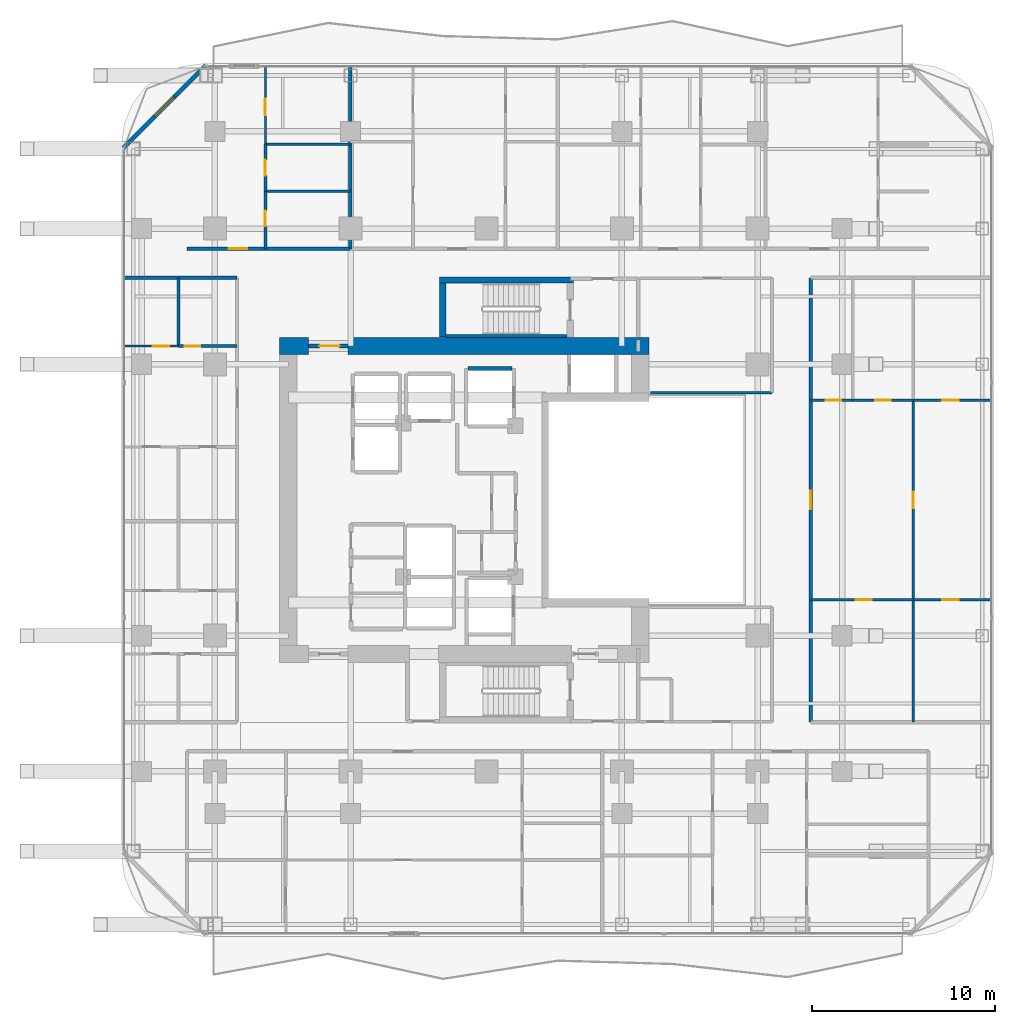
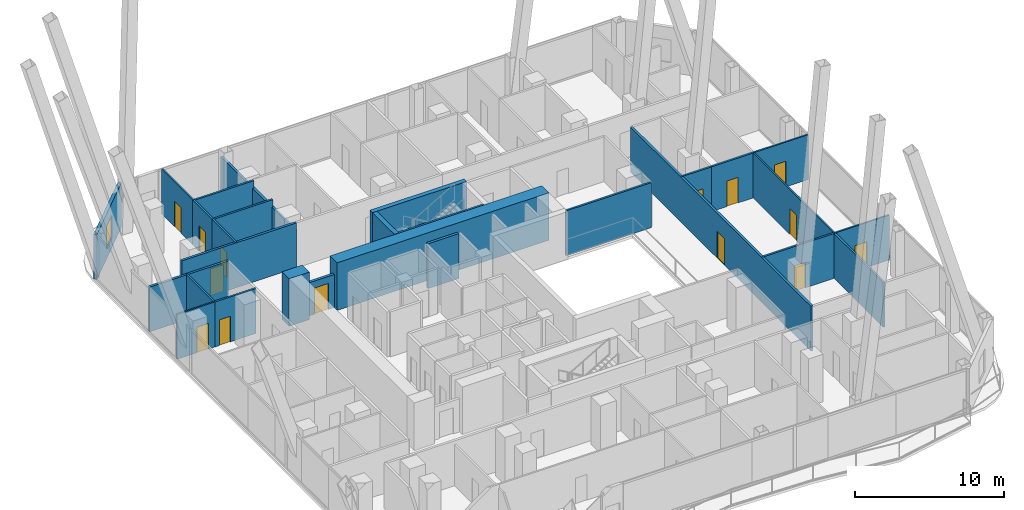
# One storey, part 27 of 32: 28 walls, 14 doors, 1 window, 15 openings.
"""IFC4 building model written with IfcOpenShell, lengths in metres."""

from ifc_helpers import new_model, si_unit, direction, frame, frame_2d, origin, place, context, subcontext, project, spatial, rectangle, extrude, material, layer, layer_set, type_object, element, fill, save


model = new_model("IFC4")

# Units and contexts
model_context = context("Model", 3, precision=1e-05, world=origin(), true_north=direction((0.0, 1.0)))
body_context = subcontext(model_context, "Body", "Model", "MODEL_VIEW")
ifc_project = project(units=[si_unit("LENGTHUNIT", "METRE"), si_unit("AREAUNIT", "SQUARE_METRE"), si_unit("VOLUMEUNIT", "CUBIC_METRE"), si_unit("PLANEANGLEUNIT", "RADIAN"), si_unit("MASSUNIT", "GRAM", prefix="KILO")], contexts=[model_context])

# Site, building, storey
site_placement = place(None, origin())
site = spatial("IfcSite", under=ifc_project, at=site_placement, CompositionType="ELEMENT")
building_placement = place(site_placement, origin())
building = spatial("IfcBuilding", under=site, at=building_placement, Name="Khorvyn Point Tower", CompositionType="ELEMENT")
storey_placement = place(building_placement, frame((0.0, 0.0, 148.5)))
storey = spatial("IfcBuildingStorey", under=building, at=storey_placement, Name="L37", CompositionType="ELEMENT", Elevation=148.5)

# Wall, opening, door
ifc_material_1 = material(Name="Double acoustic gypsum on twin steel stud", Category="steel")
ifc_layer_1 = layer(ifc_material_1, 0.179931640625)
ifc_layer_set_1 = layer_set([ifc_layer_1], Name="Acoustic Double-Stud Apartment Demising Wall 180")
wall_type_1 = type_object("IfcWallType", Name="Acoustic Double-Stud Apartment Demising Wall 180", PredefinedType="PARTITIONING", material=ifc_layer_set_1)
wall_1_placement = place(storey_placement, frame((-16.320068359375, 13.699951171875, 0.0), z_axis=(0.0, 0.0, 1.0), x_axis=(1.0, 0.0, 0.0)))
wall_1 = element("IfcWall", 1, at=wall_1_placement, inside=storey, type_object=wall_type_1, Name="Wall", PredefinedType="PARTITIONING", context=body_context, shape_type="SweptSolid", body=[
    extrude(rectangle(XDim=8.89697265625, YDim=0.179931640625, at=frame_2d((4.448486328125, 0.0))), origin(), (0.0, 0.0, 1.0), 3.679931640625),
])
opening_1_placement = place(wall_1_placement, frame((2.2744140625, 0.0, 0.0)))
opening_1 = element("IfcOpeningElement", 2, at=opening_1_placement, cuts=wall_1, Name="Opening ID-AP60", PredefinedType="OPENING", context=body_context, shape_type="SweptSolid", body=[
    extrude(rectangle(XDim=1.0, YDim=2.199951171875, at=frame_2d((0.5, 1.10009765625))), frame((0.0, 0.099853515625, 0.0), z_axis=(0.0, -1.0, 0.0), x_axis=(1.0, 0.0, 0.0)), (0.0, 0.0, 1.0), 0.199951171875),
])
ifc_material_2 = material(Name="Engineered hardwood fire-rated leaf", Category="wood")
door_type_1 = type_object("IfcDoorType", Name="Acoustic Solid-Core Timber Apartment Entrance Door 1000x2200", OperationType="NOTDEFINED", PredefinedType="DOOR", material=ifc_material_2)
door_1_placement = place(opening_1_placement, origin())
door_1 = element("IfcDoor", 3, at=door_1_placement, inside=storey, type_object=door_type_1, Name="Door", OperationType="SINGLE_SWING_LEFT", OverallHeight=2.199951171875, OverallWidth=1.0, PredefinedType="DOOR", context=body_context, shape_type="SweptSolid", body=[
    extrude(rectangle(XDim=1.0, YDim=2.199951171875, at=frame_2d((0.5, 1.10009765625))), frame((0.0, 0.02490234375, 0.0), z_axis=(0.0, -1.0, 0.0), x_axis=(1.0, 0.0, 0.0)), (0.0, 0.0, 1.0), 0.050048828125),
])
fill(opening_1, door_1)

wall_2_placement = place(storey_placement, frame((17.699951171875, -12.1201171875, 0.0), z_axis=(0.0, 0.0, 1.0), x_axis=(0.0, 1.0, 0.0)))
wall_2 = element("IfcWall", 4, at=wall_2_placement, inside=storey, type_object=wall_type_1, Name="Wall", PredefinedType="PARTITIONING", context=body_context, shape_type="SweptSolid", body=[
    extrude(rectangle(XDim=24.240234375, YDim=0.179931640625, at=frame_2d((12.1201171875, 0.0))), origin(), (0.0, 0.0, 1.0), 3.679931640625),
])
opening_2_placement = place(wall_2_placement, frame((11.6201171875, 0.0, 0.0)))
opening_2 = element("IfcOpeningElement", 5, at=opening_2_placement, cuts=wall_2, Name="Opening ID-AP60", PredefinedType="OPENING", context=body_context, shape_type="SweptSolid", body=[
    extrude(rectangle(XDim=1.0, YDim=2.199951171875, at=frame_2d((0.5, 1.10009765625))), frame((0.0, 0.099853515625, 0.0), z_axis=(0.0, -1.0, 0.0), x_axis=(1.0, 0.0, 0.0)), (0.0, 0.0, 1.0), 0.199951171875),
])
door_2_placement = place(opening_2_placement, origin())
door_2 = element("IfcDoor", 6, at=door_2_placement, inside=storey, type_object=door_type_1, Name="Door", OperationType="SINGLE_SWING_RIGHT", OverallHeight=2.199951171875, OverallWidth=1.0, PredefinedType="DOOR", context=body_context, shape_type="SweptSolid", body=[
    extrude(rectangle(XDim=1.0, YDim=2.199951171875, at=frame_2d((0.5, 1.10009765625))), frame((0.0, 0.02490234375, 0.0), z_axis=(0.0, -1.0, 0.0), x_axis=(1.0, 0.0, 0.0)), (0.0, 0.0, 1.0), 0.050048828125),
])
fill(opening_2, door_2)

# Walls
wall_3_placement = place(storey_placement, frame((-7.423095703125, 13.699951171875, 0.0), z_axis=(0.0, 0.0, 1.0), x_axis=(0.0, 1.0, 0.0)))
element("IfcWall", 7, at=wall_3_placement, inside=storey, type_object=wall_type_1, Name="Wall", PredefinedType="PARTITIONING", context=body_context, shape_type="SweptSolid", body=[
    extrude(rectangle(XDim=9.929931640625, YDim=0.179931640625, at=frame_2d((4.96484375, 0.0))), origin(), (0.0, 0.0, 1.0), 3.08203125),
])
wall_4_placement = place(storey_placement, frame((-19.72998046875, 12.1201171875, 0.0), z_axis=(0.0, 0.0, 1.0), x_axis=(1.0, 0.0, 0.0)))
element("IfcWall", 8, at=wall_4_placement, inside=storey, type_object=wall_type_1, Name="Wall", PredefinedType="PARTITIONING", context=body_context, shape_type="SweptSolid", body=[
    extrude(rectangle(XDim=6.1298828125, YDim=0.179931640625, at=frame_2d((3.06494140625, 0.0))), origin(), (0.0, 0.0, 1.0), 3.679931640625),
])

# Wall, opening, window
ifc_material_3 = material(Name="Pale anodised aluminium rainscreen on steel stud", Category="steel")
ifc_layer_2 = layer(ifc_material_3, 0.239990234375)
ifc_layer_set_2 = layer_set([ifc_layer_2], Name="Anodised Aluminium Insulated Corner Spandrel Wall 240")
wall_type_2 = type_object("IfcWallType", Name="Anodised Aluminium Insulated Corner Spandrel Wall 240", PredefinedType="SOLIDWALL", material=ifc_layer_set_2)
wall_5_placement = place(storey_placement, frame((-19.79248046875, 19.20751953125, 0.0), z_axis=(0.0, 0.0, 1.0), x_axis=(0.707106781187, 0.707106781187, 0.0)))
wall_5 = element("IfcWall", 9, at=wall_5_placement, inside=storey, type_object=wall_type_2, Name="L37 Rounded Corner Wall NW", PredefinedType="SOLIDWALL", context=body_context, shape_type="SweptSolid", body=[
    extrude(rectangle(XDim=6.342529296875, YDim=0.239990234375, at=frame_2d((3.17138671875, 0.0))), origin(), (0.0, 0.0, 1.0), 3.679931640625),
])
opening_3_placement = place(wall_5_placement, frame((2.42138671875, 0.0, 0.800048828125)))
opening_3 = element("IfcOpeningElement", 10, at=opening_3_placement, cuts=wall_5, Name="Opening WN-1518", PredefinedType="OPENING", context=body_context, shape_type="SweptSolid", body=[
    extrude(rectangle(XDim=1.5, YDim=1.85009765625, at=frame_2d((0.75, 0.925048828125))), frame((0.0, 0.1298828125, 0.0), z_axis=(0.0, -1.0, 0.0), x_axis=(1.0, 0.0, 0.0)), (0.0, 0.0, 1.0), 0.260009765625),
])
ifc_material_4 = material(Name="Anodised aluminium 6063-T6 and laminated Low-E glass", Category="aluminium")
window_type = type_object("IfcWindowType", Name="Anodised Aluminium Rounded-Corner Panoramic Window 1500x1850", PartitioningType="SINGLE_PANEL", PredefinedType="WINDOW", material=ifc_material_4)
window_placement = place(opening_3_placement, origin())
window = element("IfcWindow", 11, at=window_placement, inside=storey, type_object=window_type, Name="L37 Corner Panoramic Window NW", OverallHeight=1.85009765625, OverallWidth=1.5, PartitioningType="SINGLE_PANEL", PredefinedType="WINDOW", context=body_context, shape_type="SweptSolid", body=[
    extrude(rectangle(XDim=1.5, YDim=1.85009765625, at=frame_2d((0.75, 0.925048828125))), frame((0.0, 0.030029296875, 0.0), z_axis=(0.0, -1.0, 0.0), x_axis=(1.0, 0.0, 0.0)), (0.0, 0.0, 1.0), 0.06005859375),
])
fill(opening_3, window)

# Wall, opening, door
ifc_material_5 = material(Name="Concrete C40/50", Category="concrete")
ifc_layer_3 = layer(ifc_material_5, 0.199951171875)
ifc_layer_set_3 = layer_set([ifc_layer_3], Name="Concrete C40/50 Fire-Lobby Compartment Wall 200")
wall_type_3 = type_object("IfcWallType", Name="Concrete C40/50 Fire-Lobby Compartment Wall 200", PredefinedType="SOLIDWALL", material=ifc_layer_set_3)
wall_6_placement = place(storey_placement, frame((-9.699951171875, 8.39990234375, 0.0), z_axis=(0.0, 0.0, 1.0), x_axis=(1.0, 0.0, 0.0)))
wall_6 = element("IfcWall", 12, at=wall_6_placement, inside=storey, type_object=wall_type_3, Name="Wall", PredefinedType="SOLIDWALL", context=body_context, shape_type="SweptSolid", body=[
    extrude(rectangle(XDim=2.14990234375, YDim=0.199951171875, at=frame_2d((1.074951171875, 0.0))), origin(), (0.0, 0.0, 1.0), 2.719970703125),
])
opening_4_placement = place(wall_6_placement, frame((0.597900390625, 0.0, 0.0)))
opening_4 = element("IfcOpeningElement", 13, at=opening_4_placement, cuts=wall_6, Name="Opening ID-FL90", PredefinedType="OPENING", context=body_context, shape_type="SweptSolid", body=[
    extrude(rectangle(XDim=1.10009765625, YDim=2.14990234375, at=frame_2d((0.550048828125, 1.074951171875))), frame((0.0, 0.10986328125, 0.0), z_axis=(0.0, -1.0, 0.0), x_axis=(1.0, 0.0, 0.0)), (0.0, 0.0, 1.0), 0.219970703125),
])
ifc_material_6 = material(Name="Galvanised powder-coated steel", Category="steel")
door_type_2 = type_object("IfcDoorType", Name="Fire-Rated Steel Lobby and Stair Door 1100x2150", OperationType="NOTDEFINED", PredefinedType="DOOR", material=ifc_material_6)
door_3_placement = place(opening_4_placement, origin())
door_3 = element("IfcDoor", 14, at=door_3_placement, inside=storey, type_object=door_type_2, Name="Door", OperationType="SINGLE_SWING_LEFT", OverallHeight=2.14990234375, OverallWidth=1.10009765625, PredefinedType="DOOR", context=body_context, shape_type="SweptSolid", body=[
    extrude(rectangle(XDim=1.10009765625, YDim=2.14990234375, at=frame_2d((0.550048828125, 1.074951171875))), frame((0.0, 0.02490234375, 0.0), z_axis=(0.0, -1.0, 0.0), x_axis=(1.0, 0.0, 0.0)), (0.0, 0.0, 1.0), 0.050048828125),
])
fill(opening_4, door_3)

# Walls
ifc_layer_4 = layer(ifc_material_5, 0.25)
ifc_layer_set_4 = layer_set([ifc_layer_4], Name="Concrete C40/50 Stair Inner Cheek Structural Wall 250")
wall_type_4 = type_object("IfcWallType", Name="Concrete C40/50 Stair Inner Cheek Structural Wall 250", PredefinedType="SHEAR", material=ifc_layer_set_4)
wall_7_placement = place(storey_placement, frame((-2.199951171875, 8.949951171875, 0.0), z_axis=(0.0, 0.0, 1.0), x_axis=(1.0, 0.0, 0.0)))
element("IfcWall", 15, at=wall_7_placement, inside=storey, type_object=wall_type_4, Name="Wall", PredefinedType="SHEAR", context=body_context, shape_type="SweptSolid", body=[
    extrude(rectangle(XDim=6.599853515625, YDim=0.14990234375, at=frame_2d((3.2998046875, 0.0))), origin(), (0.0, 0.0, 1.0), 3.89990234375),
])
ifc_layer_5 = layer(ifc_material_5, 0.35009765625)
ifc_layer_set_5 = layer_set([ifc_layer_5], Name="Concrete C40/50 Stair Shaft Structural Wall 350")
wall_type_5 = type_object("IfcWallType", Name="Concrete C40/50 Stair Shaft Structural Wall 350", PredefinedType="SHEAR", material=ifc_layer_set_5)
wall_8_placement = place(storey_placement, frame((-2.554931640625, 12.0, 0.0), z_axis=(0.0, 0.0, 1.0), x_axis=(1.0, 0.0, 0.0)))
element("IfcWall", 16, at=wall_8_placement, inside=storey, type_object=wall_type_5, Name="L37 ST-02 North Shaft Wall", PredefinedType="SHEAR", context=body_context, shape_type="SweptSolid", body=[
    extrude(rectangle(XDim=7.309814453125, YDim=0.35009765625, at=frame_2d((3.65478515625, 0.0))), origin(), (0.0, 0.0, 1.0), 3.89990234375),
])
wall_9_placement = place(storey_placement, frame((-2.3798828125, 8.89990234375, 0.0), z_axis=(0.0, 0.0, 1.0), x_axis=(0.0, 1.0, 0.0)))
element("IfcWall", 17, at=wall_9_placement, inside=storey, type_object=wall_type_5, Name="L37 ST-02 West Shaft Wall", PredefinedType="SHEAR", context=body_context, shape_type="SweptSolid", body=[
    extrude(rectangle(XDim=2.925048828125, YDim=0.35009765625, at=frame_2d((1.46240234375, 0.0))), origin(), (0.0, 0.0, 1.0), 3.89990234375),
])
ifc_layer_6 = layer(ifc_material_5, 0.199951171875)
ifc_layer_set_6 = layer_set([ifc_layer_6], Name="Concrete C40/50 Structural Hoistway and Stair Shaft Wall 200")
wall_type_6 = type_object("IfcWallType", Name="Concrete C40/50 Structural Hoistway and Stair Shaft Wall 200", PredefinedType="SHEAR", material=ifc_layer_set_6)
wall_10_placement = place(storey_placement, frame((-1.0, 7.175048828125, 0.0), z_axis=(0.0, 0.0, 1.0), x_axis=(1.0, 0.0, 0.0)))
element("IfcWall", 18, at=wall_10_placement, inside=storey, type_object=wall_type_6, Name="Wall", PredefinedType="SHEAR", context=body_context, shape_type="SweptSolid", body=[
    extrude(rectangle(XDim=2.39990234375, YDim=0.199951171875, at=frame_2d((1.199951171875, 0.0))), origin(), (0.0, 0.0, 1.0), 3.679931640625),
])
ifc_material_7 = material(Name="Concrete C50/60", Category="concrete")
ifc_layer_7 = layer(ifc_material_7, 0.949951171875)
ifc_layer_set_7 = layer_set([ifc_layer_7], Name="Concrete C50/60 Core Shear Wall 950")
wall_type_7 = type_object("IfcWallType", Name="Concrete C50/60 Core Shear Wall 950", PredefinedType="SHEAR", material=ifc_layer_set_7)
wall_11_placement = place(storey_placement, frame((-11.27490234375, 8.39990234375, 0.0), z_axis=(0.0, 0.0, 1.0), x_axis=(1.0, 0.0, 0.0)))
element("IfcWall", 19, at=wall_11_placement, inside=storey, type_object=wall_type_7, Name="Wall", PredefinedType="SHEAR", context=body_context, shape_type="SweptSolid", body=[
    extrude(rectangle(XDim=1.574951171875, YDim=0.949951171875, at=frame_2d((0.78759765625, 0.0))), origin(), (0.0, 0.0, 1.0), 3.89990234375),
])
wall_12_placement = place(storey_placement, frame((-7.550048828125, 8.39990234375, 0.0), z_axis=(0.0, 0.0, 1.0), x_axis=(1.0, 0.0, 0.0)))
element("IfcWall", 20, at=wall_12_placement, inside=storey, type_object=wall_type_7, Name="Wall", PredefinedType="SHEAR", context=body_context, shape_type="SweptSolid", body=[
    extrude(rectangle(XDim=16.425048828125, YDim=0.949951171875, at=frame_2d((8.21240234375, 0.0))), origin(), (0.0, 0.0, 1.0), 3.89990234375),
])

# Wall, opening, door
ifc_material_8 = material(Name="Gypsum plasterboard on steel stud", Category="steel")
ifc_layer_8 = layer(ifc_material_8, 0.1201171875)
ifc_layer_set_8 = layer_set([ifc_layer_8], Name="Gypsum Acoustic Stud Room Partition Wall 120")
wall_type_8 = type_object("IfcWallType", Name="Gypsum Acoustic Stud Room Partition Wall 120", PredefinedType="PARTITIONING", material=ifc_layer_set_8)
wall_13_placement = place(storey_placement, frame((-12.049072265625, 19.406005859375, 0.0), z_axis=(0.0, 0.0, 1.0), x_axis=(0.0, 1.0, 0.0)))
wall_13 = element("IfcWall", 21, at=wall_13_placement, inside=storey, type_object=wall_type_8, Name="Wall", PredefinedType="PARTITIONING", context=body_context, shape_type="SweptSolid", body=[
    extrude(rectangle(XDim=4.223876953125, YDim=0.1201171875, at=frame_2d((2.11181640625, 0.0))), origin(), (0.0, 0.0, 1.0), 3.679931640625),
])
opening_5_placement = place(wall_13_placement, frame((1.573486328125, 0.0, 0.0)))
opening_5 = element("IfcOpeningElement", 22, at=opening_5_placement, cuts=wall_13, Name="Opening ID-RM90", PredefinedType="OPENING", context=body_context, shape_type="SweptSolid", body=[
    extrude(rectangle(XDim=0.89990234375, YDim=2.10009765625, at=frame_2d((0.449951171875, 1.050048828125))), frame((0.0, 0.070068359375, 0.0), z_axis=(0.0, -1.0, 0.0), x_axis=(1.0, 0.0, 0.0)), (0.0, 0.0, 1.0), 0.14013671875),
])
ifc_material_9 = material(Name="Engineered oak veneer timber", Category="wood")
door_type_3 = type_object("IfcDoorType", Name="Flush Engineered Timber Room Door 900x2100", OperationType="NOTDEFINED", PredefinedType="DOOR", material=ifc_material_9)
door_4_placement = place(opening_5_placement, origin())
door_4 = element("IfcDoor", 23, at=door_4_placement, inside=storey, type_object=door_type_3, Name="Door", OperationType="SINGLE_SWING_RIGHT", OverallHeight=2.10009765625, OverallWidth=0.89990234375, PredefinedType="DOOR", context=body_context, shape_type="SweptSolid", body=[
    extrude(rectangle(XDim=0.89990234375, YDim=2.10009765625, at=frame_2d((0.449951171875, 1.050048828125))), frame((0.0, 0.02490234375, 0.0), z_axis=(0.0, -1.0, 0.0), x_axis=(1.0, 0.0, 0.0)), (0.0, 0.0, 1.0), 0.050048828125),
])
fill(opening_5, door_4)

wall_14_placement = place(storey_placement, frame((-19.72998046875, 8.39404296875, 0.0), z_axis=(0.0, 0.0, 1.0), x_axis=(1.0, 0.0, 0.0)))
wall_14 = element("IfcWall", 24, at=wall_14_placement, inside=storey, type_object=wall_type_8, Name="Wall", PredefinedType="PARTITIONING", context=body_context, shape_type="SweptSolid", body=[
    extrude(rectangle(XDim=2.946044921875, YDim=0.1201171875, at=frame_2d((1.47314453125, 0.0))), origin(), (0.0, 0.0, 1.0), 3.679931640625),
])
opening_6_placement = place(wall_14_placement, frame((1.540771484375, 0.0, 0.0)))
opening_6 = element("IfcOpeningElement", 25, at=opening_6_placement, cuts=wall_14, Name="Opening ID-RM90", PredefinedType="OPENING", context=body_context, shape_type="SweptSolid", body=[
    extrude(rectangle(XDim=0.89990234375, YDim=2.10009765625, at=frame_2d((0.449951171875, 1.050048828125))), frame((0.0, 0.070068359375, 0.0), z_axis=(0.0, -1.0, 0.0), x_axis=(1.0, 0.0, 0.0)), (0.0, 0.0, 1.0), 0.14013671875),
])
door_5_placement = place(opening_6_placement, origin())
door_5 = element("IfcDoor", 26, at=door_5_placement, inside=storey, type_object=door_type_3, Name="Door", OperationType="SINGLE_SWING_LEFT", OverallHeight=2.10009765625, OverallWidth=0.89990234375, PredefinedType="DOOR", context=body_context, shape_type="SweptSolid", body=[
    extrude(rectangle(XDim=0.89990234375, YDim=2.10009765625, at=frame_2d((0.449951171875, 1.050048828125))), frame((0.0, 0.02490234375, 0.0), z_axis=(0.0, -1.0, 0.0), x_axis=(1.0, 0.0, 0.0)), (0.0, 0.0, 1.0), 0.050048828125),
])
fill(opening_6, door_5)

wall_15_placement = place(storey_placement, frame((23.2900390625, -5.43603515625, 0.0), z_axis=(0.0, 0.0, 1.0), x_axis=(0.0, 1.0, 0.0)))
wall_15 = element("IfcWall", 27, at=wall_15_placement, inside=storey, type_object=wall_type_8, Name="Wall", PredefinedType="PARTITIONING", context=body_context, shape_type="SweptSolid", body=[
    extrude(rectangle(XDim=10.8720703125, YDim=0.1201171875, at=frame_2d((5.43603515625, 0.0))), origin(), (0.0, 0.0, 1.0), 3.679931640625),
])
opening_7_placement = place(wall_15_placement, frame((4.986083984375, 0.0, 0.0)))
opening_7 = element("IfcOpeningElement", 28, at=opening_7_placement, cuts=wall_15, Name="Opening ID-RM90", PredefinedType="OPENING", context=body_context, shape_type="SweptSolid", body=[
    extrude(rectangle(XDim=0.89990234375, YDim=2.10009765625, at=frame_2d((0.449951171875, 1.050048828125))), frame((0.0, 0.070068359375, 0.0), z_axis=(0.0, -1.0, 0.0), x_axis=(1.0, 0.0, 0.0)), (0.0, 0.0, 1.0), 0.14013671875),
])
door_6_placement = place(opening_7_placement, origin())
door_6 = element("IfcDoor", 29, at=door_6_placement, inside=storey, type_object=door_type_3, Name="Door", OperationType="SINGLE_SWING_LEFT", OverallHeight=2.10009765625, OverallWidth=0.89990234375, PredefinedType="DOOR", context=body_context, shape_type="SweptSolid", body=[
    extrude(rectangle(XDim=0.89990234375, YDim=2.10009765625, at=frame_2d((0.449951171875, 1.050048828125))), frame((0.0, 0.02490234375, 0.0), z_axis=(0.0, -1.0, 0.0), x_axis=(1.0, 0.0, 0.0)), (0.0, 0.0, 1.0), 0.050048828125),
])
fill(opening_7, door_6)

wall_16_placement = place(storey_placement, frame((23.2900390625, -5.43603515625, 0.0), z_axis=(0.0, 0.0, 1.0), x_axis=(1.0, 0.0, 0.0)))
wall_16 = element("IfcWall", 30, at=wall_16_placement, inside=storey, type_object=wall_type_8, Name="Wall", PredefinedType="PARTITIONING", context=body_context, shape_type="SweptSolid", body=[
    extrude(rectangle(XDim=4.239990234375, YDim=0.1201171875, at=frame_2d((2.1201171875, 0.0))), origin(), (0.0, 0.0, 1.0), 3.679931640625),
])
opening_8_placement = place(wall_16_placement, frame((1.581298828125, 0.0, 0.0)))
opening_8 = element("IfcOpeningElement", 31, at=opening_8_placement, cuts=wall_16, Name="Opening ID-RM90", PredefinedType="OPENING", context=body_context, shape_type="SweptSolid", body=[
    extrude(rectangle(XDim=0.89990234375, YDim=2.10009765625, at=frame_2d((0.449951171875, 1.050048828125))), frame((0.0, 0.070068359375, 0.0), z_axis=(0.0, -1.0, 0.0), x_axis=(1.0, 0.0, 0.0)), (0.0, 0.0, 1.0), 0.14013671875),
])
door_7_placement = place(opening_8_placement, origin())
door_7 = element("IfcDoor", 32, at=door_7_placement, inside=storey, type_object=door_type_3, Name="Door", OperationType="SINGLE_SWING_LEFT", OverallHeight=2.10009765625, OverallWidth=0.89990234375, PredefinedType="DOOR", context=body_context, shape_type="SweptSolid", body=[
    extrude(rectangle(XDim=0.89990234375, YDim=2.10009765625, at=frame_2d((0.449951171875, 1.050048828125))), frame((0.0, 0.02490234375, 0.0), z_axis=(0.0, -1.0, 0.0), x_axis=(1.0, 0.0, 0.0)), (0.0, 0.0, 1.0), 0.050048828125),
])
fill(opening_8, door_7)

wall_17_placement = place(storey_placement, frame((23.2900390625, 5.43603515625, 0.0), z_axis=(0.0, 0.0, 1.0), x_axis=(1.0, 0.0, 0.0)))
wall_17 = element("IfcWall", 33, at=wall_17_placement, inside=storey, type_object=wall_type_8, Name="Wall", PredefinedType="PARTITIONING", context=body_context, shape_type="SweptSolid", body=[
    extrude(rectangle(XDim=4.239990234375, YDim=0.1201171875, at=frame_2d((2.1201171875, 0.0))), origin(), (0.0, 0.0, 1.0), 3.679931640625),
])
opening_9_placement = place(wall_17_placement, frame((1.581298828125, 0.0, 0.0)))
opening_9 = element("IfcOpeningElement", 34, at=opening_9_placement, cuts=wall_17, Name="Opening ID-RM90", PredefinedType="OPENING", context=body_context, shape_type="SweptSolid", body=[
    extrude(rectangle(XDim=0.89990234375, YDim=2.10009765625, at=frame_2d((0.449951171875, 1.050048828125))), frame((0.0, 0.070068359375, 0.0), z_axis=(0.0, -1.0, 0.0), x_axis=(1.0, 0.0, 0.0)), (0.0, 0.0, 1.0), 0.14013671875),
])
door_8_placement = place(opening_9_placement, origin())
door_8 = element("IfcDoor", 35, at=door_8_placement, inside=storey, type_object=door_type_3, Name="Door", OperationType="SINGLE_SWING_RIGHT", OverallHeight=2.10009765625, OverallWidth=0.89990234375, PredefinedType="DOOR", context=body_context, shape_type="SweptSolid", body=[
    extrude(rectangle(XDim=0.89990234375, YDim=2.10009765625, at=frame_2d((0.449951171875, 1.050048828125))), frame((0.0, 0.02490234375, 0.0), z_axis=(0.0, -1.0, 0.0), x_axis=(1.0, 0.0, 0.0)), (0.0, 0.0, 1.0), 0.050048828125),
])
fill(opening_9, door_8)

ifc_material_10 = material(Name="Moisture-resistant gypsum and cement board", Category="gypsum")
ifc_layer_9 = layer(ifc_material_10, 0.14990234375)
ifc_layer_set_9 = layer_set([ifc_layer_9], Name="Moisture-Resistant Wet-Room Partition Wall 150")
wall_type_9 = type_object("IfcWallType", Name="Moisture-Resistant Wet-Room Partition Wall 150", PredefinedType="PARTITIONING", material=ifc_layer_set_9)
wall_18_placement = place(storey_placement, frame((-12.049072265625, 13.699951171875, 0.0), z_axis=(0.0, 0.0, 1.0), x_axis=(0.0, 1.0, 0.0)))
wall_18 = element("IfcWall", 36, at=wall_18_placement, inside=storey, type_object=wall_type_9, Name="Wall", PredefinedType="PARTITIONING", context=body_context, shape_type="SweptSolid", body=[
    extrude(rectangle(XDim=3.137939453125, YDim=0.14990234375, at=frame_2d((1.56884765625, 0.0))), origin(), (0.0, 0.0, 1.0), 3.679931640625),
])
opening_10_placement = place(wall_18_placement, frame((1.2333984375, 0.0, 0.0)))
opening_10 = element("IfcOpeningElement", 37, at=opening_10_placement, cuts=wall_18, Name="Opening ID-WC85", PredefinedType="OPENING", context=body_context, shape_type="SweptSolid", body=[
    extrude(rectangle(XDim=0.85009765625, YDim=2.10009765625, at=frame_2d((0.425048828125, 1.050048828125))), frame((0.0, 0.0849609375, 0.0), z_axis=(0.0, -1.0, 0.0), x_axis=(1.0, 0.0, 0.0)), (0.0, 0.0, 1.0), 0.169921875),
])
ifc_material_11 = material(Name="High-pressure laminate on moisture-resistant core", Category="wood")
door_type_4 = type_object("IfcDoorType", Name="Moisture-Resistant Accessible Washroom Door 850x2100", OperationType="NOTDEFINED", PredefinedType="DOOR", material=ifc_material_11)
door_9_placement = place(opening_10_placement, origin())
door_9 = element("IfcDoor", 38, at=door_9_placement, inside=storey, type_object=door_type_4, Name="Door", OperationType="SINGLE_SWING_RIGHT", OverallHeight=2.10009765625, OverallWidth=0.85009765625, PredefinedType="DOOR", context=body_context, shape_type="SweptSolid", body=[
    extrude(rectangle(XDim=0.85009765625, YDim=2.10009765625, at=frame_2d((0.425048828125, 1.050048828125))), frame((0.0, 0.02490234375, 0.0), z_axis=(0.0, -1.0, 0.0), x_axis=(1.0, 0.0, 0.0)), (0.0, 0.0, 1.0), 0.050048828125),
])
fill(opening_10, door_9)

wall_19_placement = place(storey_placement, frame((-12.049072265625, 16.837890625, 0.0), z_axis=(0.0, 0.0, 1.0), x_axis=(0.0, 1.0, 0.0)))
wall_19 = element("IfcWall", 39, at=wall_19_placement, inside=storey, type_object=wall_type_9, Name="Wall", PredefinedType="PARTITIONING", context=body_context, shape_type="SweptSolid", body=[
    extrude(rectangle(XDim=2.568115234375, YDim=0.14990234375, at=frame_2d((1.2841796875, 0.0))), origin(), (0.0, 0.0, 1.0), 3.679931640625),
])
opening_11_placement = place(wall_19_placement, frame((0.85888671875, 0.0, 0.0)))
opening_11 = element("IfcOpeningElement", 40, at=opening_11_placement, cuts=wall_19, Name="Opening ID-WC85", PredefinedType="OPENING", context=body_context, shape_type="SweptSolid", body=[
    extrude(rectangle(XDim=0.85009765625, YDim=2.10009765625, at=frame_2d((0.425048828125, 1.050048828125))), frame((0.0, 0.0849609375, 0.0), z_axis=(0.0, -1.0, 0.0), x_axis=(1.0, 0.0, 0.0)), (0.0, 0.0, 1.0), 0.169921875),
])
door_10_placement = place(opening_11_placement, origin())
door_10 = element("IfcDoor", 41, at=door_10_placement, inside=storey, type_object=door_type_4, Name="Door", OperationType="SINGLE_SWING_LEFT", OverallHeight=2.10009765625, OverallWidth=0.85009765625, PredefinedType="DOOR", context=body_context, shape_type="SweptSolid", body=[
    extrude(rectangle(XDim=0.85009765625, YDim=2.10009765625, at=frame_2d((0.425048828125, 1.050048828125))), frame((0.0, 0.02490234375, 0.0), z_axis=(0.0, -1.0, 0.0), x_axis=(1.0, 0.0, 0.0)), (0.0, 0.0, 1.0), 0.050048828125),
])
fill(opening_11, door_10)

wall_20_placement = place(storey_placement, frame((-16.783935546875, 8.39404296875, 0.0), z_axis=(0.0, 0.0, 1.0), x_axis=(1.0, 0.0, 0.0)))
wall_20 = element("IfcWall", 42, at=wall_20_placement, inside=storey, type_object=wall_type_9, Name="Wall", PredefinedType="PARTITIONING", context=body_context, shape_type="SweptSolid", body=[
    extrude(rectangle(XDim=3.183837890625, YDim=0.14990234375, at=frame_2d((1.591796875, 0.0))), origin(), (0.0, 0.0, 1.0), 3.679931640625),
])
opening_12_placement = place(wall_20_placement, frame((0.327880859375, 0.0, 0.0)))
opening_12 = element("IfcOpeningElement", 43, at=opening_12_placement, cuts=wall_20, Name="Opening ID-WC85", PredefinedType="OPENING", context=body_context, shape_type="SweptSolid", body=[
    extrude(rectangle(XDim=0.85009765625, YDim=2.10009765625, at=frame_2d((0.425048828125, 1.050048828125))), frame((0.0, 0.0849609375, 0.0), z_axis=(0.0, -1.0, 0.0), x_axis=(1.0, 0.0, 0.0)), (0.0, 0.0, 1.0), 0.169921875),
])
door_11_placement = place(opening_12_placement, origin())
door_11 = element("IfcDoor", 44, at=door_11_placement, inside=storey, type_object=door_type_4, Name="Door", OperationType="SINGLE_SWING_RIGHT", OverallHeight=2.10009765625, OverallWidth=0.85009765625, PredefinedType="DOOR", context=body_context, shape_type="SweptSolid", body=[
    extrude(rectangle(XDim=0.85009765625, YDim=2.10009765625, at=frame_2d((0.425048828125, 1.050048828125))), frame((0.0, 0.02490234375, 0.0), z_axis=(0.0, -1.0, 0.0), x_axis=(1.0, 0.0, 0.0)), (0.0, 0.0, 1.0), 0.050048828125),
])
fill(opening_12, door_11)

wall_21_placement = place(storey_placement, frame((17.699951171875, 5.43603515625, 0.0), z_axis=(0.0, 0.0, 1.0), x_axis=(1.0, 0.0, 0.0)))
wall_21 = element("IfcWall", 45, at=wall_21_placement, inside=storey, type_object=wall_type_9, Name="Wall", PredefinedType="PARTITIONING", context=body_context, shape_type="SweptSolid", body=[
    extrude(rectangle(XDim=2.2919921875, YDim=0.14990234375, at=frame_2d((1.14599609375, 0.0))), origin(), (0.0, 0.0, 1.0), 3.679931640625),
])
opening_13_placement = place(wall_21_placement, frame((0.801025390625, 0.0, 0.0)))
opening_13 = element("IfcOpeningElement", 46, at=opening_13_placement, cuts=wall_21, Name="Opening ID-WC85", PredefinedType="OPENING", context=body_context, shape_type="SweptSolid", body=[
    extrude(rectangle(XDim=0.85009765625, YDim=2.10009765625, at=frame_2d((0.425048828125, 1.050048828125))), frame((0.0, 0.0849609375, 0.0), z_axis=(0.0, -1.0, 0.0), x_axis=(1.0, 0.0, 0.0)), (0.0, 0.0, 1.0), 0.169921875),
])
door_12_placement = place(opening_13_placement, origin())
door_12 = element("IfcDoor", 47, at=door_12_placement, inside=storey, type_object=door_type_4, Name="Door", OperationType="SINGLE_SWING_RIGHT", OverallHeight=2.10009765625, OverallWidth=0.85009765625, PredefinedType="DOOR", context=body_context, shape_type="SweptSolid", body=[
    extrude(rectangle(XDim=0.85009765625, YDim=2.10009765625, at=frame_2d((0.425048828125, 1.050048828125))), frame((0.0, 0.02490234375, 0.0), z_axis=(0.0, -1.0, 0.0), x_axis=(1.0, 0.0, 0.0)), (0.0, 0.0, 1.0), 0.050048828125),
])
fill(opening_13, door_12)

wall_22_placement = place(storey_placement, frame((19.991943359375, 5.43603515625, 0.0), z_axis=(0.0, 0.0, 1.0), x_axis=(1.0, 0.0, 0.0)))
wall_22 = element("IfcWall", 48, at=wall_22_placement, inside=storey, type_object=wall_type_9, Name="Wall", PredefinedType="PARTITIONING", context=body_context, shape_type="SweptSolid", body=[
    extrude(rectangle(XDim=3.298095703125, YDim=0.14990234375, at=frame_2d((1.64892578125, 0.0))), origin(), (0.0, 0.0, 1.0), 3.679931640625),
])
opening_14_placement = place(wall_22_placement, frame((1.22412109375, 0.0, 0.0)))
opening_14 = element("IfcOpeningElement", 49, at=opening_14_placement, cuts=wall_22, Name="Opening ID-WC85", PredefinedType="OPENING", context=body_context, shape_type="SweptSolid", body=[
    extrude(rectangle(XDim=0.85009765625, YDim=2.10009765625, at=frame_2d((0.425048828125, 1.050048828125))), frame((0.0, 0.0849609375, 0.0), z_axis=(0.0, -1.0, 0.0), x_axis=(1.0, 0.0, 0.0)), (0.0, 0.0, 1.0), 0.169921875),
])
door_13_placement = place(opening_14_placement, origin())
door_13 = element("IfcDoor", 50, at=door_13_placement, inside=storey, type_object=door_type_4, Name="Door", OperationType="SINGLE_SWING_LEFT", OverallHeight=2.10009765625, OverallWidth=0.85009765625, PredefinedType="DOOR", context=body_context, shape_type="SweptSolid", body=[
    extrude(rectangle(XDim=0.85009765625, YDim=2.10009765625, at=frame_2d((0.425048828125, 1.050048828125))), frame((0.0, 0.02490234375, 0.0), z_axis=(0.0, -1.0, 0.0), x_axis=(1.0, 0.0, 0.0)), (0.0, 0.0, 1.0), 0.050048828125),
])
fill(opening_14, door_13)

wall_23_placement = place(storey_placement, frame((17.699951171875, -5.43603515625, 0.0), z_axis=(0.0, 0.0, 1.0), x_axis=(1.0, 0.0, 0.0)))
wall_23 = element("IfcWall", 51, at=wall_23_placement, inside=storey, type_object=wall_type_9, Name="Wall", PredefinedType="PARTITIONING", context=body_context, shape_type="SweptSolid", body=[
    extrude(rectangle(XDim=5.590087890625, YDim=0.14990234375, at=frame_2d((2.794921875, 0.0))), origin(), (0.0, 0.0, 1.0), 3.679931640625),
])
opening_15_placement = place(wall_23_placement, frame((2.45849609375, 0.0, 0.0)))
opening_15 = element("IfcOpeningElement", 52, at=opening_15_placement, cuts=wall_23, Name="Opening ID-WC85", PredefinedType="OPENING", context=body_context, shape_type="SweptSolid", body=[
    extrude(rectangle(XDim=0.85009765625, YDim=2.10009765625, at=frame_2d((0.425048828125, 1.050048828125))), frame((0.0, 0.0849609375, 0.0), z_axis=(0.0, -1.0, 0.0), x_axis=(1.0, 0.0, 0.0)), (0.0, 0.0, 1.0), 0.169921875),
])
door_14_placement = place(opening_15_placement, origin())
door_14 = element("IfcDoor", 53, at=door_14_placement, inside=storey, type_object=door_type_4, Name="Door", OperationType="SINGLE_SWING_RIGHT", OverallHeight=2.10009765625, OverallWidth=0.85009765625, PredefinedType="DOOR", context=body_context, shape_type="SweptSolid", body=[
    extrude(rectangle(XDim=0.85009765625, YDim=2.10009765625, at=frame_2d((0.425048828125, 1.050048828125))), frame((0.0, 0.02490234375, 0.0), z_axis=(0.0, -1.0, 0.0), x_axis=(1.0, 0.0, 0.0)), (0.0, 0.0, 1.0), 0.050048828125),
])
fill(opening_15, door_14)

# Walls
wall_24_placement = place(storey_placement, frame((8.9599609375, 5.85009765625, 0.0), z_axis=(0.0, 0.0, 1.0), x_axis=(1.0, 0.0, 0.0)))
element("IfcWall", 54, at=wall_24_placement, inside=storey, type_object=wall_type_9, Name="Wall", PredefinedType="PARTITIONING", context=body_context, shape_type="SweptSolid", body=[
    extrude(rectangle(XDim=6.6201171875, YDim=0.14990234375, at=frame_2d((3.31005859375, 0.0))), origin(), (0.0, 0.0, 1.0), 3.679931640625),
])
for number, where, z_axis, x_axis, name in (
    (55, (-12.049072265625, 16.837890625, 0.0), (0.0, 0.0, 1.0), (1.0, 0.0, 0.0), "Wall"),
    (56, (-12.049072265625, 19.406005859375, 0.0), (0.0, 0.0, 1.0), (1.0, 0.0, 0.0), "Wall"),
):
    element("IfcWall", number, at=place(storey_placement, frame(where, z_axis=z_axis, x_axis=x_axis)), inside=storey, type_object=wall_type_9, Name=name, PredefinedType="PARTITIONING", context=body_context, shape_type="SweptSolid", body=[
        extrude(rectangle(XDim=4.6259765625, YDim=0.14990234375, at=frame_2d((2.31298828125, 0.0))), origin(), (0.0, 0.0, 1.0), 3.679931640625),
    ])
wall_25_placement = place(storey_placement, frame((-16.783935546875, 8.39404296875, 0.0), z_axis=(0.0, 0.0, 1.0), x_axis=(0.0, 1.0, 0.0)))
element("IfcWall", 57, at=wall_25_placement, inside=storey, type_object=wall_type_9, Name="Wall", PredefinedType="PARTITIONING", context=body_context, shape_type="SweptSolid", body=[
    extrude(rectangle(XDim=3.72607421875, YDim=0.14990234375, at=frame_2d((1.863037109375, 0.0))), origin(), (0.0, 0.0, 1.0), 3.679931640625),
])
wall_26_placement = place(storey_placement, frame((23.2900390625, -12.1201171875, 0.0), z_axis=(0.0, 0.0, 1.0), x_axis=(0.0, 1.0, 0.0)))
element("IfcWall", 58, at=wall_26_placement, inside=storey, type_object=wall_type_9, Name="Wall", PredefinedType="PARTITIONING", context=body_context, shape_type="SweptSolid", body=[
    extrude(rectangle(XDim=6.68408203125, YDim=0.14990234375, at=frame_2d((3.342041015625, 0.0))), origin(), (0.0, 0.0, 1.0), 3.679931640625),
])

save(model, "model.ifc")
